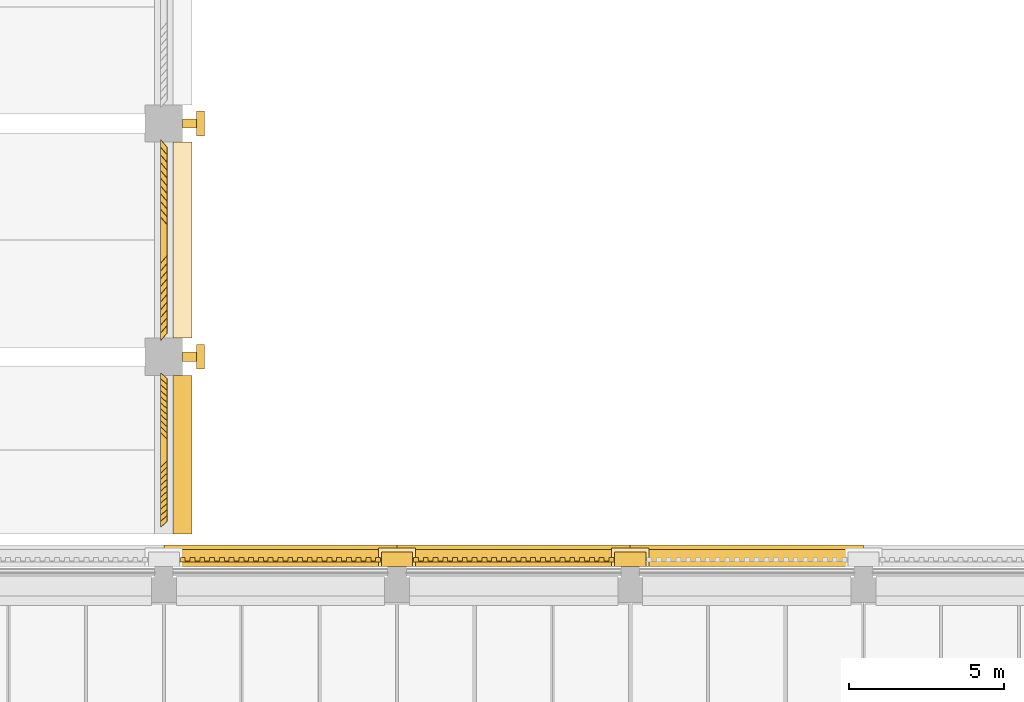
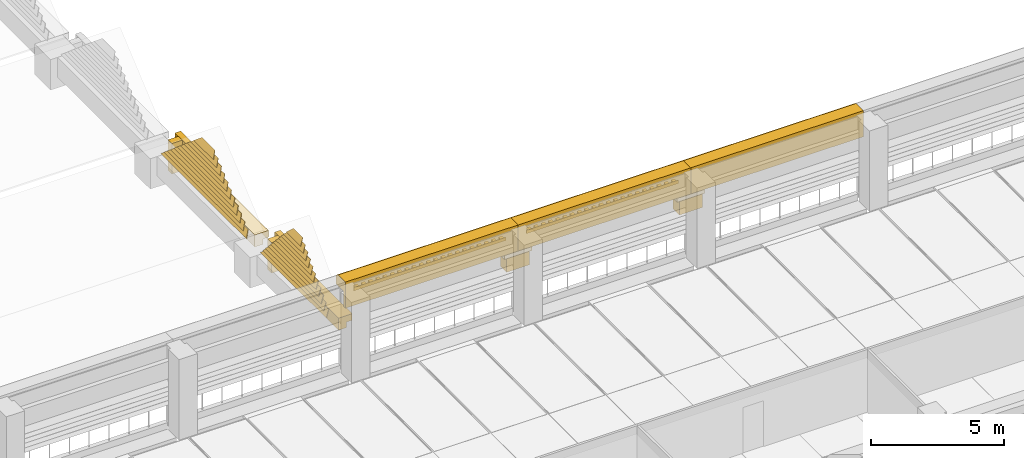
# One storey, part 55 of 71: 22 shading devices, 15 coverings.
"""IFC4 building model written with IfcOpenShell, lengths in metres."""

from ifc_helpers import new_model, si_unit, direction, frame, origin, place, context, subcontext, project, spatial, polyline, outline, extrude, material, layer, layer_set, type_object, element, save


model = new_model("IFC4")

# Units and contexts
model_context = context("Model", 3, precision=1e-05, world=origin(), true_north=direction((0.0, 1.0)))
body_context = subcontext(model_context, "Body", "Model", "MODEL_VIEW")
ifc_project = project(units=[si_unit("LENGTHUNIT", "METRE"), si_unit("AREAUNIT", "SQUARE_METRE"), si_unit("VOLUMEUNIT", "CUBIC_METRE"), si_unit("PLANEANGLEUNIT", "RADIAN"), si_unit("MASSUNIT", "GRAM", prefix="KILO")], contexts=[model_context])

# Site, building, storey
site_placement = place(None, origin())
site = spatial("IfcSite", under=ifc_project, at=site_placement, CompositionType="ELEMENT")
building_placement = place(site_placement, origin())
building = spatial("IfcBuilding", under=site, at=building_placement, Name="Cour d'Honneur Mobility Palace", CompositionType="ELEMENT")
storey_placement = place(building_placement, frame((0.0, 0.0, 15.60009765625)))
storey = spatial("IfcBuildingStorey", under=building, at=storey_placement, Name="L04", CompositionType="ELEMENT", Elevation=15.60009765625)

# Coverings
ifc_material_1 = material(Name="Cast limestone", Category="masonry")
ifc_layer_1 = layer(ifc_material_1, 0.14990234375)
ifc_layer_set_1 = layer_set([ifc_layer_1], Name="Cast limestone")
covering_type_1 = type_object("IfcCoveringType", Name="Dentil course", PredefinedType="CLADDING", material=ifc_layer_set_1)
covering_1_placement = place(storey_placement, frame((0.0, 0.0, 3.14990234375)))
element("IfcCovering", 1, at=covering_1_placement, inside=storey, type_object=covering_type_1, Name="Dentil course DC-99", PredefinedType="CLADDING", context=body_context, shape_type="SweptSolid", body=[
    extrude(outline(polyline([(114.449951171875, 63.300048828125), (107.85009765625, 63.300048828125), (107.85009765625, 63.330078125), (107.85009765625, 63.330078125), (107.928466796875, 63.330078125), (107.928466796875, 63.449951171875), (108.085693359375, 63.449951171875), (108.085693359375, 63.330078125), (108.164306640625, 63.330078125), (108.164306640625, 63.330078125), (108.242919921875, 63.330078125), (108.242919921875, 63.449951171875), (108.39990234375, 63.449951171875), (108.39990234375, 63.330078125), (108.478515625, 63.330078125), (108.478515625, 63.330078125), (108.55712890625, 63.330078125), (108.55712890625, 63.449951171875), (108.71435546875, 63.449951171875), (108.71435546875, 63.330078125), (108.79296875, 63.330078125), (108.79296875, 63.330078125), (108.871337890625, 63.330078125), (108.871337890625, 63.449951171875), (109.028564453125, 63.449951171875), (109.028564453125, 63.330078125), (109.107177734375, 63.330078125), (109.107177734375, 63.330078125), (109.185791015625, 63.330078125), (109.185791015625, 63.449951171875), (109.3427734375, 63.449951171875), (109.3427734375, 63.330078125), (109.42138671875, 63.330078125), (109.42138671875, 63.330078125), (109.5, 63.330078125), (109.5, 63.449951171875), (109.6572265625, 63.449951171875), (109.6572265625, 63.330078125), (109.735595703125, 63.330078125), (109.735595703125, 63.330078125), (109.814208984375, 63.330078125), (109.814208984375, 63.449951171875), (109.971435546875, 63.449951171875), (109.971435546875, 63.330078125), (110.050048828125, 63.330078125), (110.050048828125, 63.330078125), (110.128662109375, 63.330078125), (110.128662109375, 63.449951171875), (110.28564453125, 63.449951171875), (110.28564453125, 63.330078125), (110.3642578125, 63.330078125), (110.3642578125, 63.330078125), (110.44287109375, 63.330078125), (110.44287109375, 63.449951171875), (110.60009765625, 63.449951171875), (110.60009765625, 63.330078125), (110.678466796875, 63.330078125), (110.678466796875, 63.330078125), (110.757080078125, 63.330078125), (110.757080078125, 63.449951171875), (110.914306640625, 63.449951171875), (110.914306640625, 63.330078125), (110.992919921875, 63.330078125), (110.992919921875, 63.330078125), (111.071533203125, 63.330078125), (111.071533203125, 63.449951171875), (111.228515625, 63.449951171875), (111.228515625, 63.330078125), (111.30712890625, 63.330078125), (111.30712890625, 63.330078125), (111.3857421875, 63.330078125), (111.3857421875, 63.449951171875), (111.54296875, 63.449951171875), (111.54296875, 63.330078125), (111.621337890625, 63.330078125), (111.621337890625, 63.330078125), (111.699951171875, 63.330078125), (111.699951171875, 63.449951171875), (111.857177734375, 63.449951171875), (111.857177734375, 63.330078125), (111.935791015625, 63.330078125), (111.935791015625, 63.330078125), (112.014404296875, 63.330078125), (112.014404296875, 63.449951171875), (112.17138671875, 63.449951171875), (112.17138671875, 63.330078125), (112.25, 63.330078125), (112.25, 63.330078125), (112.32861328125, 63.330078125), (112.32861328125, 63.449951171875), (112.485595703125, 63.449951171875), (112.485595703125, 63.330078125), (112.564208984375, 63.330078125), (112.564208984375, 63.330078125), (112.642822265625, 63.330078125), (112.642822265625, 63.449951171875), (112.800048828125, 63.449951171875), (112.800048828125, 63.330078125), (112.878662109375, 63.330078125), (112.878662109375, 63.330078125), (112.95703125, 63.330078125), (112.95703125, 63.449951171875), (113.1142578125, 63.449951171875), (113.1142578125, 63.330078125), (113.19287109375, 63.330078125), (113.19287109375, 63.330078125), (113.271484375, 63.330078125), (113.271484375, 63.449951171875), (113.428466796875, 63.449951171875), (113.428466796875, 63.330078125), (113.507080078125, 63.330078125), (113.507080078125, 63.330078125), (113.585693359375, 63.330078125), (113.585693359375, 63.449951171875), (113.742919921875, 63.449951171875), (113.742919921875, 63.330078125), (113.821533203125, 63.330078125), (113.821533203125, 63.330078125), (113.89990234375, 63.330078125), (113.89990234375, 63.449951171875), (114.05712890625, 63.449951171875), (114.05712890625, 63.330078125), (114.1357421875, 63.330078125), (114.1357421875, 63.330078125), (114.21435546875, 63.330078125), (114.21435546875, 63.449951171875), (114.371337890625, 63.449951171875), (114.371337890625, 63.330078125), (114.449951171875, 63.330078125), (114.449951171875, 63.300048828125)])), origin(), (0.0, 0.0, 1.0), 0.14990234375),
])
covering_2_placement = place(storey_placement, frame((0.0, 0.0, 3.14990234375)))
element("IfcCovering", 2, at=covering_2_placement, inside=storey, type_object=covering_type_1, Name="Dentil course DC-100", PredefinedType="CLADDING", context=body_context, shape_type="SweptSolid", body=[
    extrude(outline(polyline([(106.949951171875, 63.300048828125), (100.35009765625, 63.300048828125), (100.35009765625, 63.330078125), (100.35009765625, 63.330078125), (100.428466796875, 63.330078125), (100.428466796875, 63.449951171875), (100.585693359375, 63.449951171875), (100.585693359375, 63.330078125), (100.664306640625, 63.330078125), (100.664306640625, 63.330078125), (100.742919921875, 63.330078125), (100.742919921875, 63.449951171875), (100.89990234375, 63.449951171875), (100.89990234375, 63.330078125), (100.978515625, 63.330078125), (100.978515625, 63.330078125), (101.05712890625, 63.330078125), (101.05712890625, 63.449951171875), (101.21435546875, 63.449951171875), (101.21435546875, 63.330078125), (101.29296875, 63.330078125), (101.29296875, 63.330078125), (101.371337890625, 63.330078125), (101.371337890625, 63.449951171875), (101.528564453125, 63.449951171875), (101.528564453125, 63.330078125), (101.607177734375, 63.330078125), (101.607177734375, 63.330078125), (101.685791015625, 63.330078125), (101.685791015625, 63.449951171875), (101.8427734375, 63.449951171875), (101.8427734375, 63.330078125), (101.92138671875, 63.330078125), (101.92138671875, 63.330078125), (102.0, 63.330078125), (102.0, 63.449951171875), (102.1572265625, 63.449951171875), (102.1572265625, 63.330078125), (102.235595703125, 63.330078125), (102.235595703125, 63.330078125), (102.314208984375, 63.330078125), (102.314208984375, 63.449951171875), (102.471435546875, 63.449951171875), (102.471435546875, 63.330078125), (102.550048828125, 63.330078125), (102.550048828125, 63.330078125), (102.628662109375, 63.330078125), (102.628662109375, 63.449951171875), (102.78564453125, 63.449951171875), (102.78564453125, 63.330078125), (102.8642578125, 63.330078125), (102.8642578125, 63.330078125), (102.94287109375, 63.330078125), (102.94287109375, 63.449951171875), (103.10009765625, 63.449951171875), (103.10009765625, 63.330078125), (103.178466796875, 63.330078125), (103.178466796875, 63.330078125), (103.257080078125, 63.330078125), (103.257080078125, 63.449951171875), (103.414306640625, 63.449951171875), (103.414306640625, 63.330078125), (103.492919921875, 63.330078125), (103.492919921875, 63.330078125), (103.571533203125, 63.330078125), (103.571533203125, 63.449951171875), (103.728515625, 63.449951171875), (103.728515625, 63.330078125), (103.80712890625, 63.330078125), (103.80712890625, 63.330078125), (103.8857421875, 63.330078125), (103.8857421875, 63.449951171875), (104.04296875, 63.449951171875), (104.04296875, 63.330078125), (104.121337890625, 63.330078125), (104.121337890625, 63.330078125), (104.199951171875, 63.330078125), (104.199951171875, 63.449951171875), (104.357177734375, 63.449951171875), (104.357177734375, 63.330078125), (104.435791015625, 63.330078125), (104.435791015625, 63.330078125), (104.514404296875, 63.330078125), (104.514404296875, 63.449951171875), (104.67138671875, 63.449951171875), (104.67138671875, 63.330078125), (104.75, 63.330078125), (104.75, 63.330078125), (104.82861328125, 63.330078125), (104.82861328125, 63.449951171875), (104.985595703125, 63.449951171875), (104.985595703125, 63.330078125), (105.064208984375, 63.330078125), (105.064208984375, 63.330078125), (105.142822265625, 63.330078125), (105.142822265625, 63.449951171875), (105.300048828125, 63.449951171875), (105.300048828125, 63.330078125), (105.378662109375, 63.330078125), (105.378662109375, 63.330078125), (105.45703125, 63.330078125), (105.45703125, 63.449951171875), (105.6142578125, 63.449951171875), (105.6142578125, 63.330078125), (105.69287109375, 63.330078125), (105.69287109375, 63.330078125), (105.771484375, 63.330078125), (105.771484375, 63.449951171875), (105.928466796875, 63.449951171875), (105.928466796875, 63.330078125), (106.007080078125, 63.330078125), (106.007080078125, 63.330078125), (106.085693359375, 63.330078125), (106.085693359375, 63.449951171875), (106.242919921875, 63.449951171875), (106.242919921875, 63.330078125), (106.321533203125, 63.330078125), (106.321533203125, 63.330078125), (106.39990234375, 63.330078125), (106.39990234375, 63.449951171875), (106.55712890625, 63.449951171875), (106.55712890625, 63.330078125), (106.6357421875, 63.330078125), (106.6357421875, 63.330078125), (106.71435546875, 63.330078125), (106.71435546875, 63.449951171875), (106.871337890625, 63.449951171875), (106.871337890625, 63.330078125), (106.949951171875, 63.330078125), (106.949951171875, 63.300048828125)])), origin(), (0.0, 0.0, 1.0), 0.14990234375),
])
ifc_material_2 = material(Name="Cast limestone", Category="masonry")
ifc_layer_2 = layer(ifc_material_2, 0.699951171875)
ifc_layer_set_2 = layer_set([ifc_layer_2], Name="Cast limestone")
covering_type_2 = type_object("IfcCoveringType", Name="Entablature", PredefinedType="CLADDING", material=ifc_layer_set_2)
for number, where, z_axis, x_axis, name in (
    (3, (122.39990234375, 63.14990234375, 2.599853515625), (1.0, 0.0, 0.0), (0.0, 1.0, 0.0), "Entablature EN-98"),
    (4, (114.89990234375, 63.14990234375, 2.599853515625), (1.0, 0.0, 0.0), (0.0, 1.0, 0.0), "Entablature EN-99"),
    (5, (107.39990234375, 63.14990234375, 2.599853515625), (1.0, 0.0, 0.0), (0.0, 1.0, 0.0), "Entablature EN-100"),
):
    element("IfcCovering", number, at=place(storey_placement, frame(where, z_axis=z_axis, x_axis=x_axis)), inside=storey, type_object=covering_type_2, Name=name, PredefinedType="CLADDING", context=body_context, shape_type="SweptSolid", body=[
        extrude(outline(polyline([(0.0, 0.0), (0.150146484375, 0.0), (0.150146484375, 0.699951171875), (0.7001953125, 0.699951171875), (0.7001953125, 1.10009765625), (0.550048828125, 1.199951171875), (0.0, 1.199951171875), (0.0, 0.0)])), origin(), (0.0, 0.0, -1.0), 7.5),
    ])
ifc_material_3 = material(Name="Cast limestone", Category="masonry")
ifc_layer_3 = layer(ifc_material_3, 0.39990234375)
ifc_layer_set_3 = layer_set([ifc_layer_3], Name="Cast limestone")
covering_type_3 = type_object("IfcCoveringType", Name="Hall eave cornice", PredefinedType="CLADDING", material=ifc_layer_set_3)
covering_3_placement = place(storey_placement, frame((100.199951171875, 64.199951171875, 0.849853515625), z_axis=(0.0, -1.0, 0.0), x_axis=(1.0, 0.0, 0.0)))
element("IfcCovering", 6, at=covering_3_placement, inside=storey, type_object=covering_type_3, Name="Hall eave cornice EB-E1", PredefinedType="CLADDING", context=body_context, shape_type="SweptSolid", body=[
    extrude(outline(polyline([(0.0, 0.0), (0.35009765625, 0.0), (0.35009765625, 0.25), (0.60009765625, 0.25), (0.60009765625, 0.550048828125), (0.0, 0.550048828125), (0.0, 0.0)])), origin(), (0.0, 0.0, -1.0), 5.10009765625),
])
covering_4_placement = place(storey_placement, frame((100.199951171875, 70.5, 0.849853515625), z_axis=(0.0, -1.0, 0.0), x_axis=(1.0, 0.0, 0.0)))
element("IfcCovering", 7, at=covering_4_placement, inside=storey, type_object=covering_type_3, Name="Hall eave cornice EB-E2", PredefinedType="CLADDING", context=body_context, shape_type="SweptSolid", body=[
    extrude(outline(polyline([(0.0, 0.0), (0.35009765625, 0.0), (0.35009765625, 0.25), (0.60009765625, 0.25), (0.60009765625, 0.550048828125), (0.0, 0.550048828125), (0.0, 0.0)])), origin(), (0.0, 0.0, -1.0), 6.300048828125),
])
ifc_material_4 = material(Name="Cast limestone", Category="masonry")
ifc_layer_4 = layer(ifc_material_4, 0.300048828125)
ifc_layer_set_4 = layer_set([ifc_layer_4], Name="Cast limestone")
covering_type_4 = type_object("IfcCoveringType", Name="Pier fin", PredefinedType="CLADDING", material=ifc_layer_set_4)
covering_5_placement = place(storey_placement, origin())
element("IfcCovering", 8, at=covering_5_placement, inside=storey, type_object=covering_type_4, Name="Pier fin HP-E2 L04", PredefinedType="CLADDING", context=body_context, shape_type="SweptSolid", body=[
    extrude(outline(polyline([(100.5, 69.75), (100.949951171875, 69.75), (100.949951171875, 70.050048828125), (100.5, 70.050048828125), (100.5, 69.75)])), origin(), (0.0, 0.0, 1.0), 1.39990234375),
])
covering_6_placement = place(storey_placement, origin())
element("IfcCovering", 9, at=covering_6_placement, inside=storey, type_object=covering_type_4, Name="Pier fin HP-E3 L04", PredefinedType="CLADDING", context=body_context, shape_type="SweptSolid", body=[
    extrude(outline(polyline([(100.5, 77.25), (100.949951171875, 77.25), (100.949951171875, 77.550048828125), (100.5, 77.550048828125), (100.5, 77.25)])), origin(), (0.0, 0.0, 1.0), 1.39990234375),
])
ifc_material_5 = material(Name="Cast limestone", Category="masonry")
ifc_layer_5 = layer(ifc_material_5, 0.1201171875)
ifc_layer_set_5 = layer_set([ifc_layer_5], Name="Cast limestone")
covering_type_5 = type_object("IfcCoveringType", Name="Pilaster capital", PredefinedType="CLADDING", material=ifc_layer_set_5)
covering_7_placement = place(storey_placement, frame((0.0, 0.0, 1.7998046875)))
element("IfcCovering", 10, at=covering_7_placement, inside=storey, type_object=covering_type_5, Name="Pilaster capital PK-131", PredefinedType="CLADDING", context=body_context, shape_type="SweptSolid", body=[
    extrude(outline(polyline([(115.39990234375, 63.14990234375), (114.39990234375, 63.14990234375), (114.39990234375, 63.6201171875), (115.39990234375, 63.6201171875), (115.39990234375, 63.14990234375)])), origin(), (0.0, 0.0, 1.0), 0.6201171875),
])
covering_8_placement = place(storey_placement, frame((0.0, 0.0, 2.419921875)))
element("IfcCovering", 11, at=covering_8_placement, inside=storey, type_object=covering_type_5, Name="Pilaster capital PK-132", PredefinedType="CLADDING", context=body_context, shape_type="SweptSolid", body=[
    extrude(outline(polyline([(115.5, 63.14990234375), (114.300048828125, 63.14990234375), (114.300048828125, 63.75), (115.5, 63.75), (115.5, 63.14990234375)])), origin(), (0.0, 0.0, 1.0), 0.179931640625),
])
covering_9_placement = place(storey_placement, frame((0.0, 0.0, 1.7998046875)))
element("IfcCovering", 12, at=covering_9_placement, inside=storey, type_object=covering_type_5, Name="Pilaster capital PK-133", PredefinedType="CLADDING", context=body_context, shape_type="SweptSolid", body=[
    extrude(outline(polyline([(107.89990234375, 63.14990234375), (106.89990234375, 63.14990234375), (106.89990234375, 63.6201171875), (107.89990234375, 63.6201171875), (107.89990234375, 63.14990234375)])), origin(), (0.0, 0.0, 1.0), 0.6201171875),
])
covering_10_placement = place(storey_placement, frame((0.0, 0.0, 2.419921875)))
element("IfcCovering", 13, at=covering_10_placement, inside=storey, type_object=covering_type_5, Name="Pilaster capital PK-134", PredefinedType="CLADDING", context=body_context, shape_type="SweptSolid", body=[
    extrude(outline(polyline([(108.0, 63.14990234375), (106.800048828125, 63.14990234375), (106.800048828125, 63.75), (108.0, 63.75), (108.0, 63.14990234375)])), origin(), (0.0, 0.0, 1.0), 0.179931640625),
])
covering_11_placement = place(storey_placement, frame((0.0, 0.0, 0.39990234375)))
element("IfcCovering", 14, at=covering_11_placement, inside=storey, type_object=covering_type_5, Name="Hall pilaster capital HP-E2", PredefinedType="CLADDING", context=body_context, shape_type="SweptSolid", body=[
    extrude(outline(polyline([(100.949951171875, 69.5), (101.199951171875, 69.5), (101.199951171875, 70.300048828125), (100.949951171875, 70.300048828125), (100.949951171875, 69.5)])), origin(), (0.0, 0.0, 1.0), 1.0),
])
covering_12_placement = place(storey_placement, frame((0.0, 0.0, 0.39990234375)))
element("IfcCovering", 15, at=covering_12_placement, inside=storey, type_object=covering_type_5, Name="Hall pilaster capital HP-E3", PredefinedType="CLADDING", context=body_context, shape_type="SweptSolid", body=[
    extrude(outline(polyline([(100.949951171875, 77.0), (101.199951171875, 77.0), (101.199951171875, 77.800048828125), (100.949951171875, 77.800048828125), (100.949951171875, 77.0)])), origin(), (0.0, 0.0, 1.0), 1.0),
])

# Shading devices
ifc_material_6 = material(Name="Terracotta", Category="masonry")
ifc_layer_6 = layer(ifc_material_6, 0.02490234375)
ifc_layer_set_6 = layer_set([ifc_layer_6], Name="Terracotta")
shading_device_type = type_object("IfcShadingDeviceType", Name="Terracotta louvre blade", PredefinedType="JALOUSIE", material=ifc_layer_set_6)
shading_device_1_placement = place(storey_placement, frame((99.7939453125, 64.416259765625, 1.41748046875), z_axis=(-0.707106781187, 0.0, 0.707106781187), x_axis=(0.0, 1.0, 0.0)))
element("IfcShadingDevice", 16, at=shading_device_1_placement, inside=storey, type_object=shading_device_type, Name="Gable louvre blade LV-3 E1 1", PredefinedType="JALOUSIE", context=body_context, shape_type="SweptSolid", body=[
    extrude(outline(polyline([(0.0, 0.0), (4.967529296875, 0.0), (4.7734375, -0.300037008228081), (0.19384765625, -0.300037008228081), (0.0, 0.0)])), origin(), (0.0, 0.0, -1.0), 0.02490234375),
])
shading_device_2_placement = place(storey_placement, frame((99.7939453125, 64.610107421875, 1.629638671875), z_axis=(-0.707106781187, 0.0, 0.707106781187), x_axis=(0.0, 1.0, 0.0)))
element("IfcShadingDevice", 17, at=shading_device_2_placement, inside=storey, type_object=shading_device_type, Name="Gable louvre blade LV-3 E1 2", PredefinedType="JALOUSIE", context=body_context, shape_type="SweptSolid", body=[
    extrude(outline(polyline([(0.0, 0.0), (4.57958984375, 0.0), (4.3857421875, -0.30003700822808094), (0.194091796875, -0.30003700822808094), (0.0, 0.0)])), origin(), (0.0, 0.0, -1.0), 0.02490234375),
])
shading_device_3_placement = place(storey_placement, frame((99.7939453125, 64.80419921875, 1.841796875), z_axis=(-0.707106781187, 0.0, 0.707106781187), x_axis=(0.0, 1.0, 0.0)))
element("IfcShadingDevice", 18, at=shading_device_3_placement, inside=storey, type_object=shading_device_type, Name="Gable louvre blade LV-3 E1 3", PredefinedType="JALOUSIE", context=body_context, shape_type="SweptSolid", body=[
    extrude(outline(polyline([(0.0, 0.0), (4.191650390625, 0.0), (3.99755859375, -0.300037008228081), (0.194091796875, -0.300037008228081), (0.0, 0.0)])), origin(), (0.0, 0.0, -1.0), 0.02490234375),
])
shading_device_4_placement = place(storey_placement, frame((99.7939453125, 64.998291015625, 2.053955078125), z_axis=(-0.707106781187, 0.0, 0.707106781187), x_axis=(0.0, 1.0, 0.0)))
element("IfcShadingDevice", 19, at=shading_device_4_placement, inside=storey, type_object=shading_device_type, Name="Gable louvre blade LV-3 E1 4", PredefinedType="JALOUSIE", context=body_context, shape_type="SweptSolid", body=[
    extrude(outline(polyline([(0.0, 0.0), (3.803466796875, 0.0), (3.609375, -0.30003700822808094), (0.194091796875, -0.30003700822808094), (0.0, 0.0)])), origin(), (0.0, 0.0, -1.0), 0.02490234375),
])
shading_device_5_placement = place(storey_placement, frame((99.7939453125, 65.1923828125, 2.26611328125), z_axis=(-0.707106781187, 0.0, 0.707106781187), x_axis=(0.0, 1.0, 0.0)))
element("IfcShadingDevice", 20, at=shading_device_5_placement, inside=storey, type_object=shading_device_type, Name="Gable louvre blade LV-3 E1 5", PredefinedType="JALOUSIE", context=body_context, shape_type="SweptSolid", body=[
    extrude(outline(polyline([(0.0, 0.0), (3.415283203125, 0.0), (3.221435546875, -0.30003700822808094), (0.19384765625, -0.30003700822808094), (0.0, 0.0)])), origin(), (0.0, 0.0, -1.0), 0.02490234375),
])
shading_device_6_placement = place(storey_placement, frame((99.7939453125, 65.38623046875, 2.478271484375), z_axis=(-0.707106781187, 0.0, 0.707106781187), x_axis=(0.0, 1.0, 0.0)))
element("IfcShadingDevice", 21, at=shading_device_6_placement, inside=storey, type_object=shading_device_type, Name="Gable louvre blade LV-3 E1 6", PredefinedType="JALOUSIE", context=body_context, shape_type="SweptSolid", body=[
    extrude(outline(polyline([(0.0, 0.0), (3.027587890625, 0.0), (2.83349609375, -0.30003700822808094), (0.194091796875, -0.30003700822808094), (0.0, 0.0)])), origin(), (0.0, 0.0, -1.0), 0.02490234375),
])
shading_device_7_placement = place(storey_placement, frame((99.7939453125, 65.580322265625, 2.6904296875), z_axis=(-0.707106781187, 0.0, 0.707106781187), x_axis=(0.0, 1.0, 0.0)))
element("IfcShadingDevice", 22, at=shading_device_7_placement, inside=storey, type_object=shading_device_type, Name="Gable louvre blade LV-3 E1 7", PredefinedType="JALOUSIE", context=body_context, shape_type="SweptSolid", body=[
    extrude(outline(polyline([(0.0, 0.0), (2.639404296875, 0.0), (2.4453125, -0.30003700822808094), (0.194091796875, -0.30003700822808094), (0.0, 0.0)])), origin(), (0.0, 0.0, -1.0), 0.02490234375),
])
shading_device_8_placement = place(storey_placement, frame((99.7939453125, 65.7744140625, 2.902587890625), z_axis=(-0.706699578995, 0.0, 0.707513749017), x_axis=(0.0, 1.0, 0.0)))
element("IfcShadingDevice", 23, at=shading_device_8_placement, inside=storey, type_object=shading_device_type, Name="Gable louvre blade LV-3 E1 8", PredefinedType="JALOUSIE", context=body_context, shape_type="SweptSolid", body=[
    extrude(outline(polyline([(0.0, 0.0), (2.251220703125, 0.0), (2.05712890625, -0.29986442442957895), (0.194091796875, -0.29986442442957895), (0.0, 0.0)])), origin(), (0.0, 0.0, -1.0), 0.02490234375),
])
shading_device_9_placement = place(storey_placement, frame((99.7939453125, 65.968505859375, 3.114501953125), z_axis=(-0.707513281104, 0.0, 0.706700047447), x_axis=(0.0, 1.0, 0.0)))
element("IfcShadingDevice", 24, at=shading_device_9_placement, inside=storey, type_object=shading_device_type, Name="Gable louvre blade LV-3 E1 9", PredefinedType="JALOUSIE", context=body_context, shape_type="SweptSolid", body=[
    extrude(outline(polyline([(0.0, 0.0), (1.863037109375, 0.0), (1.669189453125, -0.30020969135542896), (0.19384765625, -0.30020969135542896), (0.0, 0.0)])), origin(), (0.0, 0.0, -1.0), 0.02490234375),
])
shading_device_10_placement = place(storey_placement, frame((99.7939453125, 66.162353515625, 3.326904296875), z_axis=(-0.706699578995, 0.0, 0.707513749017), x_axis=(0.0, 1.0, 0.0)))
element("IfcShadingDevice", 25, at=shading_device_10_placement, inside=storey, type_object=shading_device_type, Name="Gable louvre blade LV-3 E1 10", PredefinedType="JALOUSIE", context=body_context, shape_type="SweptSolid", body=[
    extrude(outline(polyline([(0.0, 0.0), (1.475341796875, 0.0), (1.28125, -0.29986442442957895), (0.194091796875, -0.29986442442957895), (0.0, 0.0)])), origin(), (0.0, 0.0, -1.0), 0.02490234375),
])
shading_device_11_placement = place(storey_placement, frame((99.7939453125, 66.3564453125, 3.538818359375), z_axis=(-0.707106781187, 0.0, 0.707106781187), x_axis=(0.0, 1.0, 0.0)))
element("IfcShadingDevice", 26, at=shading_device_11_placement, inside=storey, type_object=shading_device_type, Name="Gable louvre blade LV-3 E1 11", PredefinedType="JALOUSIE", context=body_context, shape_type="SweptSolid", body=[
    extrude(outline(polyline([(0.0, 0.0), (1.087158203125, 0.0), (0.89306640625, -0.300037008228081), (0.194091796875, -0.300037008228081), (0.0, 0.0)])), origin(), (0.0, 0.0, -1.0), 0.02490234375),
])
shading_device_12_placement = place(storey_placement, frame((99.7939453125, 70.4208984375, 1.41748046875), z_axis=(-0.707106781187, 0.0, 0.707106781187), x_axis=(0.0, 1.0, 0.0)))
element("IfcShadingDevice", 27, at=shading_device_12_placement, inside=storey, type_object=shading_device_type, Name="Gable louvre blade LV-3 E2 1", PredefinedType="JALOUSIE", context=body_context, shape_type="SweptSolid", body=[
    extrude(outline(polyline([(0.0, 0.0), (6.458251953125, 0.0), (6.208984375, -0.300037008228081), (0.249267578125, -0.300037008228081), (0.0, 0.0)])), origin(), (0.0, 0.0, -1.0), 0.02490234375),
])
shading_device_13_placement = place(storey_placement, frame((99.7939453125, 70.670166015625, 1.629638671875), z_axis=(-0.707106781187, 0.0, 0.707106781187), x_axis=(0.0, 1.0, 0.0)))
element("IfcShadingDevice", 28, at=shading_device_13_placement, inside=storey, type_object=shading_device_type, Name="Gable louvre blade LV-3 E2 2", PredefinedType="JALOUSIE", context=body_context, shape_type="SweptSolid", body=[
    extrude(outline(polyline([(0.0, 0.0), (5.959716796875, 0.0), (5.710205078125, -0.30003700822808094), (0.24951171875, -0.30003700822808094), (0.0, 0.0)])), origin(), (0.0, 0.0, -1.0), 0.02490234375),
])
shading_device_14_placement = place(storey_placement, frame((99.7939453125, 70.919677734375, 1.841796875), z_axis=(-0.707106781187, 0.0, 0.707106781187), x_axis=(0.0, 1.0, 0.0)))
element("IfcShadingDevice", 29, at=shading_device_14_placement, inside=storey, type_object=shading_device_type, Name="Gable louvre blade LV-3 E2 3", PredefinedType="JALOUSIE", context=body_context, shape_type="SweptSolid", body=[
    extrude(outline(polyline([(0.0, 0.0), (5.460693359375, 0.0), (5.211181640625, -0.300037008228081), (0.24951171875, -0.300037008228081), (0.0, 0.0)])), origin(), (0.0, 0.0, -1.0), 0.02490234375),
])
shading_device_15_placement = place(storey_placement, frame((99.7939453125, 71.169189453125, 2.053955078125), z_axis=(-0.707106781187, 0.0, 0.707106781187), x_axis=(0.0, 1.0, 0.0)))
element("IfcShadingDevice", 30, at=shading_device_15_placement, inside=storey, type_object=shading_device_type, Name="Gable louvre blade LV-3 E2 4", PredefinedType="JALOUSIE", context=body_context, shape_type="SweptSolid", body=[
    extrude(outline(polyline([(0.0, 0.0), (4.961669921875, 0.0), (4.712158203125, -0.300037008228081), (0.24951171875, -0.300037008228081), (0.0, 0.0)])), origin(), (0.0, 0.0, -1.0), 0.02490234375),
])
shading_device_16_placement = place(storey_placement, frame((99.7939453125, 71.418701171875, 2.26611328125), z_axis=(-0.707106781187, 0.0, 0.707106781187), x_axis=(0.0, 1.0, 0.0)))
element("IfcShadingDevice", 31, at=shading_device_16_placement, inside=storey, type_object=shading_device_type, Name="Gable louvre blade LV-3 E2 5", PredefinedType="JALOUSIE", context=body_context, shape_type="SweptSolid", body=[
    extrude(outline(polyline([(0.0, 0.0), (4.462646484375, 0.0), (4.213134765625, -0.30003700822808094), (0.24951171875, -0.30003700822808094), (0.0, 0.0)])), origin(), (0.0, 0.0, -1.0), 0.02490234375),
])
shading_device_17_placement = place(storey_placement, frame((99.7939453125, 71.668212890625, 2.478271484375), z_axis=(-0.707106781187, 0.0, 0.707106781187), x_axis=(0.0, 1.0, 0.0)))
element("IfcShadingDevice", 32, at=shading_device_17_placement, inside=storey, type_object=shading_device_type, Name="Gable louvre blade LV-3 E2 6", PredefinedType="JALOUSIE", context=body_context, shape_type="SweptSolid", body=[
    extrude(outline(polyline([(0.0, 0.0), (3.963623046875, 0.0), (3.71435546875, -0.300037008228081), (0.249267578125, -0.300037008228081), (0.0, 0.0)])), origin(), (0.0, 0.0, -1.0), 0.02490234375),
])
shading_device_18_placement = place(storey_placement, frame((99.7939453125, 71.91748046875, 2.6904296875), z_axis=(-0.707106781187, 0.0, 0.707106781187), x_axis=(0.0, 1.0, 0.0)))
element("IfcShadingDevice", 33, at=shading_device_18_placement, inside=storey, type_object=shading_device_type, Name="Gable louvre blade LV-3 E2 7", PredefinedType="JALOUSIE", context=body_context, shape_type="SweptSolid", body=[
    extrude(outline(polyline([(0.0, 0.0), (3.465087890625, 0.0), (3.215576171875, -0.30003700822808094), (0.24951171875, -0.30003700822808094), (0.0, 0.0)])), origin(), (0.0, 0.0, -1.0), 0.02490234375),
])
shading_device_19_placement = place(storey_placement, frame((99.7939453125, 72.1669921875, 2.902587890625), z_axis=(-0.706699578995, 0.0, 0.707513749017), x_axis=(0.0, 1.0, 0.0)))
element("IfcShadingDevice", 34, at=shading_device_19_placement, inside=storey, type_object=shading_device_type, Name="Gable louvre blade LV-3 E2 8", PredefinedType="JALOUSIE", context=body_context, shape_type="SweptSolid", body=[
    extrude(outline(polyline([(0.0, 0.0), (2.966064453125, 0.0), (2.716552734375, -0.29986442442957895), (0.24951171875, -0.29986442442957895), (0.0, 0.0)])), origin(), (0.0, 0.0, -1.0), 0.02490234375),
])
shading_device_20_placement = place(storey_placement, frame((99.7939453125, 72.41650390625, 3.114501953125), z_axis=(-0.707513281104, 0.0, 0.706700047447), x_axis=(0.0, 1.0, 0.0)))
element("IfcShadingDevice", 35, at=shading_device_20_placement, inside=storey, type_object=shading_device_type, Name="Gable louvre blade LV-3 E2 9", PredefinedType="JALOUSIE", context=body_context, shape_type="SweptSolid", body=[
    extrude(outline(polyline([(0.0, 0.0), (2.467041015625, 0.0), (2.217529296875, -0.30020969135542896), (0.24951171875, -0.30020969135542896), (0.0, 0.0)])), origin(), (0.0, 0.0, -1.0), 0.02490234375),
])
shading_device_21_placement = place(storey_placement, frame((99.7939453125, 72.666015625, 3.326904296875), z_axis=(-0.706699578995, 0.0, 0.707513749017), x_axis=(0.0, 1.0, 0.0)))
element("IfcShadingDevice", 36, at=shading_device_21_placement, inside=storey, type_object=shading_device_type, Name="Gable louvre blade LV-3 E2 10", PredefinedType="JALOUSIE", context=body_context, shape_type="SweptSolid", body=[
    extrude(outline(polyline([(0.0, 0.0), (1.968017578125, 0.0), (1.718505859375, -0.29986442442957895), (0.249267578125, -0.29986442442957895), (0.0, 0.0)])), origin(), (0.0, 0.0, -1.0), 0.02490234375),
])
shading_device_22_placement = place(storey_placement, frame((99.7939453125, 72.915283203125, 3.538818359375), z_axis=(-0.707106781187, 0.0, 0.707106781187), x_axis=(0.0, 1.0, 0.0)))
element("IfcShadingDevice", 37, at=shading_device_22_placement, inside=storey, type_object=shading_device_type, Name="Gable louvre blade LV-3 E2 11", PredefinedType="JALOUSIE", context=body_context, shape_type="SweptSolid", body=[
    extrude(outline(polyline([(0.0, 0.0), (1.46923828125, 0.0), (1.219970703125, -0.300037008228081), (0.24951171875, -0.300037008228081), (0.0, 0.0)])), origin(), (0.0, 0.0, -1.0), 0.02490234375),
])

save(model, "model.ifc")
